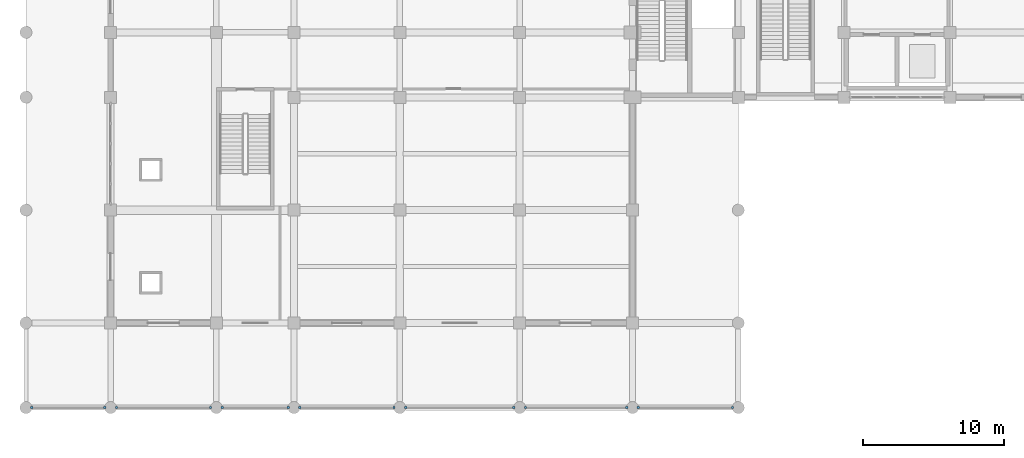
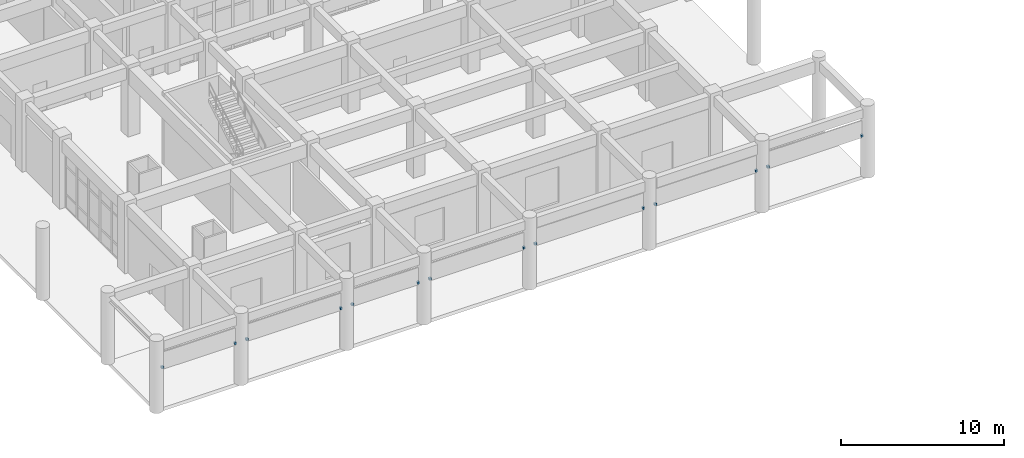
# One storey, part 73 of 84: 14 discrete accessories.
"""IFC4 building model written with IfcOpenShell, lengths in metres."""

from ifc_helpers import new_model, si_unit, direction, frame, origin, origin_2d, place, context, subcontext, project, spatial, rectangle, extrude, material, type_object, element, save


model = new_model("IFC4")

# Units and contexts
model_context = context("Model", 3, precision=1e-05, world=origin(), true_north=direction((0.0, 1.0)))
body_context = subcontext(model_context, "Body", "Model", "MODEL_VIEW")
ifc_project = project(units=[si_unit("LENGTHUNIT", "METRE"), si_unit("AREAUNIT", "SQUARE_METRE"), si_unit("VOLUMEUNIT", "CUBIC_METRE"), si_unit("PLANEANGLEUNIT", "RADIAN"), si_unit("MASSUNIT", "GRAM", prefix="KILO")], contexts=[model_context])

# Site, building, storey
site_placement = place(None, origin())
site = spatial("IfcSite", under=ifc_project, at=site_placement, CompositionType="ELEMENT")
building_placement = place(site_placement, origin())
building = spatial("IfcBuilding", under=site, at=building_placement, Name="Muzn Square Opera House", CompositionType="ELEMENT")
storey_placement = place(building_placement, origin())
storey = spatial("IfcBuildingStorey", under=building, at=storey_placement, Name="L00", CompositionType="ELEMENT", Elevation=0.0)

# Discrete accessories
ifc_material = material(Name="Brushed stainless steel", Category="metal")
discrete_accessory_type = type_object("IfcDiscreteAccessoryType", Name="Stainless Cladding Support Bracket", PredefinedType="BRACKET", material=ifc_material)
for number, where, z_axis, x_axis, name in (
    (1, (0.4150390625, 0.0, 2.97021484375), (0.0, 0.0, 1.0), (1.0, 0.0, 0.0), "Mashrabiya Support Bracket BRK-01-L"),
    (2, (5.5849609375, 0.0, 2.97021484375), (0.0, 0.0, 1.0), (1.0, 0.0, 0.0), "Mashrabiya Support Bracket BRK-01-R"),
    (3, (6.4150390625, 0.0, 2.97021484375), (0.0, 0.0, 1.0), (1.0, 0.0, 0.0), "Mashrabiya Support Bracket BRK-02-L"),
    (4, (13.0849609375, 0.0, 2.97021484375), (0.0, 0.0, 1.0), (1.0, 0.0, 0.0), "Mashrabiya Support Bracket BRK-02-R"),
    (5, (13.9150390625, 0.0, 2.97021484375), (0.0, 0.0, 1.0), (1.0, 0.0, 0.0), "Mashrabiya Support Bracket BRK-03-L"),
    (6, (18.5849609375, 0.0, 2.97021484375), (0.0, 0.0, 1.0), (1.0, 0.0, 0.0), "Mashrabiya Support Bracket BRK-03-R"),
    (7, (19.4150390625, 0.0, 2.97021484375), (0.0, 0.0, 1.0), (1.0, 0.0, 0.0), "Mashrabiya Support Bracket BRK-04-L"),
    (8, (26.0849609375, 0.0, 2.97021484375), (0.0, 0.0, 1.0), (1.0, 0.0, 0.0), "Mashrabiya Support Bracket BRK-04-R"),
    (9, (26.9150390625, 0.0, 2.97021484375), (0.0, 0.0, 1.0), (1.0, 0.0, 0.0), "Mashrabiya Support Bracket BRK-05-L"),
    (10, (34.5849609375, 0.0, 2.97021484375), (0.0, 0.0, 1.0), (1.0, 0.0, 0.0), "Mashrabiya Support Bracket BRK-05-R"),
    (11, (35.4150390625, 0.0, 2.97021484375), (0.0, 0.0, 1.0), (1.0, 0.0, 0.0), "Mashrabiya Support Bracket BRK-06-L"),
    (12, (42.5849609375, 0.0, 2.97021484375), (0.0, 0.0, 1.0), (1.0, 0.0, 0.0), "Mashrabiya Support Bracket BRK-06-R"),
    (13, (43.4150390625, 0.0, 2.97021484375), (0.0, 0.0, 1.0), (1.0, 0.0, 0.0), "Mashrabiya Support Bracket BRK-07-L"),
    (14, (50.0849609375, 0.0, 2.97021484375), (0.0, 0.0, 1.0), (1.0, 0.0, 0.0), "Mashrabiya Support Bracket BRK-07-R"),
):
    element("IfcDiscreteAccessory", number, at=place(storey_placement, frame(where, z_axis=z_axis, x_axis=x_axis)), inside=storey, type_object=discrete_accessory_type, Name=name, PredefinedType="BRACKET", context=body_context, shape_type="SweptSolid", body=[
        extrude(rectangle(XDim=0.159912109375, YDim=0.159912109375, at=origin_2d()), origin(), (0.0, 0.0, 1.0), 0.159912109375),
    ])

save(model, "model.ifc")
